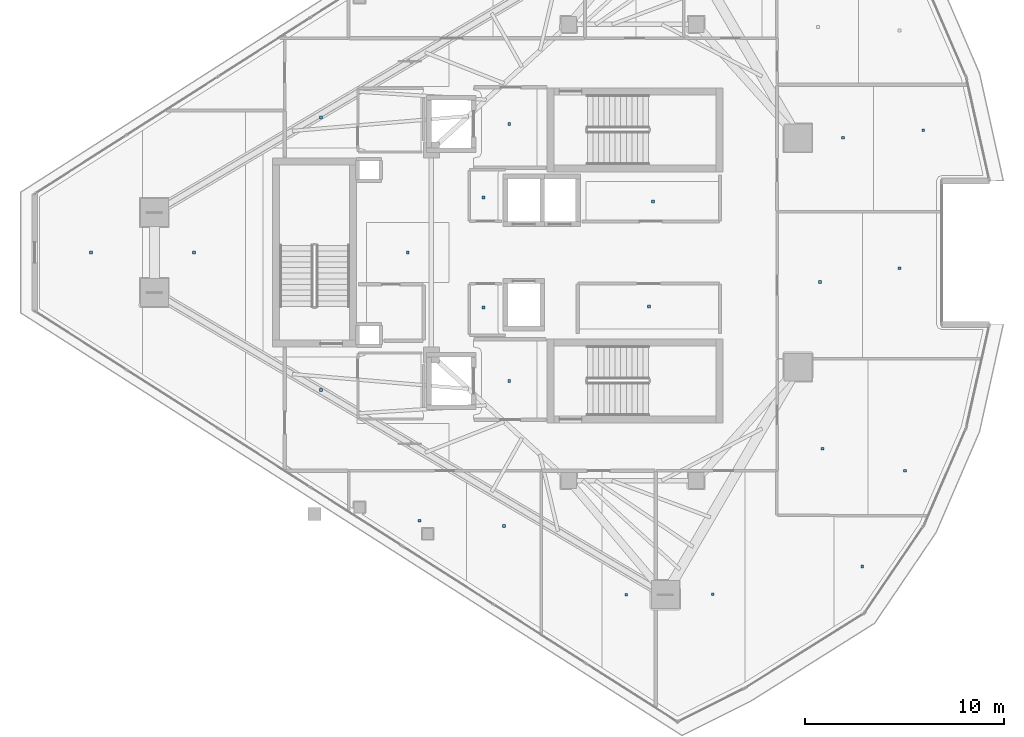
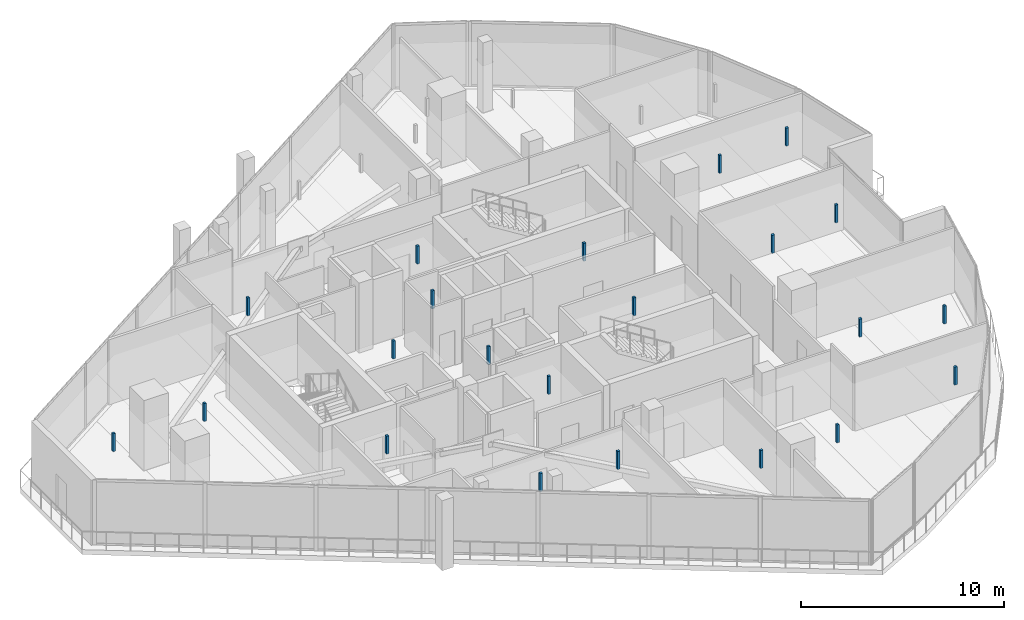
# One storey, part 24 of 30: 22 discrete accessories.
"""IFC4 building model written with IfcOpenShell, lengths in metres."""

from ifc_helpers import new_model, si_unit, direction, frame, origin, origin_2d, place, context, subcontext, project, spatial, rectangle, extrude, material, type_object, element, save


model = new_model("IFC4")

# Units and contexts
model_context = context("Model", 3, precision=1e-05, world=origin(), true_north=direction((0.0, 1.0)))
body_context = subcontext(model_context, "Body", "Model", "MODEL_VIEW")
ifc_project = project(units=[si_unit("LENGTHUNIT", "METRE"), si_unit("AREAUNIT", "SQUARE_METRE"), si_unit("VOLUMEUNIT", "CUBIC_METRE"), si_unit("PLANEANGLEUNIT", "RADIAN"), si_unit("MASSUNIT", "GRAM", prefix="KILO")], contexts=[model_context])

# Site, building, storey
site_placement = place(None, origin())
site = spatial("IfcSite", under=ifc_project, at=site_placement, CompositionType="ELEMENT")
building_placement = place(site_placement, origin())
building = spatial("IfcBuilding", under=site, at=building_placement, Name="Qorvath Tower", CompositionType="ELEMENT")
storey_placement = place(building_placement, frame((0.0, 0.0, 289.199951171875)))
storey = spatial("IfcBuildingStorey", under=building, at=storey_placement, Name="L67", CompositionType="ELEMENT", Elevation=289.199951171875)

# Discrete accessories
ifc_material = material(Name="Galvanised steel bracket", Category="steel")
discrete_accessory_type = type_object("IfcDiscreteAccessoryType", Name="DA-BRACKET", PredefinedType="BRACKET", material=ifc_material)
for number, where, z_axis, x_axis, name in (
    (1, (-26.590087890625, 6.449951171875, 2.860107421875), (0.0, 0.0, 1.0), (1.0, 0.0, 0.0), "Acoustic Ceiling Suspension Hanger T1-L67-001"),
    (2, (-26.590087890625, -6.449951171875, 2.860107421875), (0.0, 0.0, 1.0), (1.0, 0.0, 0.0), "Acoustic Ceiling Suspension Hanger T1-L67-002"),
    (3, (-19.37255859375, 2.5625, 2.860107421875), (0.0, 0.0, 1.0), (1.0, 0.0, 0.0), "Acoustic Ceiling Suspension Hanger T1-L67-003"),
    (4, (-19.574951171875, -2.70751953125, 2.860107421875), (0.0, 0.0, 1.0), (1.0, 0.0, 0.0), "Acoustic Ceiling Suspension Hanger T1-L67-004"),
    (5, (-27.87744140625, 2.762451171875, 2.860107421875), (0.0, 0.0, 1.0), (1.0, 0.0, 0.0), "Acoustic Ceiling Suspension Hanger T1-L67-005"),
    (6, (-27.87744140625, -2.762451171875, 2.860107421875), (0.0, 0.0, 1.0), (1.0, 0.0, 0.0), "Acoustic Ceiling Suspension Hanger T1-L67-006"),
    (7, (-36.04150390625, -6.908447265625, 2.860107421875), (0.0, 0.0, 1.0), (1.0, 0.0, 0.0), "Acoustic Ceiling Suspension Hanger T1-L67-010"),
    (8, (-36.040283203125, 6.782470703125, 2.860107421875), (0.0, 0.0, 1.0), (1.0, 0.0, 0.0), "Acoustic Ceiling Suspension Hanger T1-L67-011"),
    (9, (-31.6875, 0.0, 2.860107421875), (0.0, 0.0, 1.0), (1.0, 0.0, 0.0), "Acoustic Ceiling Suspension Hanger T1-L67-012"),
    (10, (-31.098388671875, -13.46728515625, 2.860107421875), (0.0, 0.0, 1.0), (1.0, 0.0, 0.0), "Acoustic Ceiling Suspension Hanger T1-L67-019"),
    (11, (-26.852783203125, -13.7294921875, 2.860107421875), (0.0, 0.0, 1.0), (1.0, 0.0, 0.0), "Acoustic Ceiling Suspension Hanger T1-L67-020"),
    (12, (-20.71435546875, -17.175537109375, 2.860107421875), (0.0, 0.0, 1.0), (1.0, 0.0, 0.0), "Acoustic Ceiling Suspension Hanger T1-L67-022"),
    (13, (-16.376220703125, -17.154296875, 2.860107421875), (0.0, 0.0, 1.0), (1.0, 0.0, 0.0), "Acoustic Ceiling Suspension Hanger T1-L67-023"),
    (14, (-8.869873046875, -15.760986328125, 2.860107421875), (0.0, 0.0, 1.0), (1.0, 0.0, 0.0), "Acoustic Ceiling Suspension Hanger T1-L67-025"),
    (15, (-10.858642578125, -9.85107421875, 2.860107421875), (0.0, 0.0, 1.0), (1.0, 0.0, 0.0), "Acoustic Ceiling Suspension Hanger T1-L67-026"),
    (16, (-6.718994140625, -10.95849609375, 2.860107421875), (0.0, 0.0, 1.0), (1.0, 0.0, 0.0), "Acoustic Ceiling Suspension Hanger T1-L67-027"),
    (17, (-10.99267578125, -1.473388671875, 2.860107421875), (0.0, 0.0, 1.0), (1.0, 0.0, 0.0), "Acoustic Ceiling Suspension Hanger T1-L67-028"),
    (18, (-6.990966796875, -0.78759765625, 2.860107421875), (0.0, 0.0, 1.0), (1.0, 0.0, 0.0), "Acoustic Ceiling Suspension Hanger T1-L67-029"),
    (19, (-9.825927734375, 5.7578125, 2.860107421875), (0.0, 0.0, 1.0), (1.0, 0.0, 0.0), "Acoustic Ceiling Suspension Hanger T1-L67-030"),
    (20, (-5.802978515625, 6.135009765625, 2.860107421875), (0.0, 0.0, 1.0), (1.0, 0.0, 0.0), "Acoustic Ceiling Suspension Hanger T1-L67-031"),
    (21, (-47.5849609375, 0.0, 2.860107421875), (0.0, 0.0, 1.0), (1.0, 0.0, 0.0), "Acoustic Ceiling Suspension Hanger T1-L67-034"),
    (22, (-42.417236328125, 0.0, 2.860107421875), (0.0, 0.0, 1.0), (1.0, 0.0, 0.0), "Acoustic Ceiling Suspension Hanger T1-L67-035"),
):
    element("IfcDiscreteAccessory", number, at=place(storey_placement, frame(where, z_axis=z_axis, x_axis=x_axis)), inside=storey, type_object=discrete_accessory_type, Name=name, PredefinedType="NOTDEFINED", context=body_context, shape_type="SweptSolid", body=[
        extrude(rectangle(XDim=0.139892578125, YDim=0.139892578125, at=origin_2d()), origin(), (0.0, 0.0, 1.0), 1.080078125),
    ])

save(model, "model.ifc")
